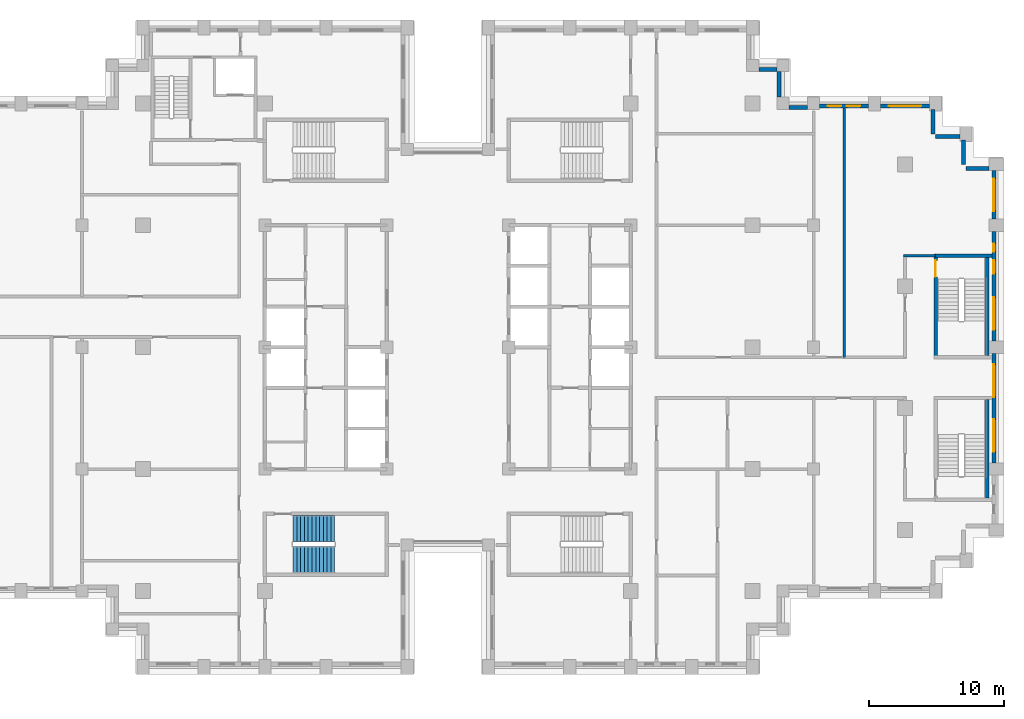
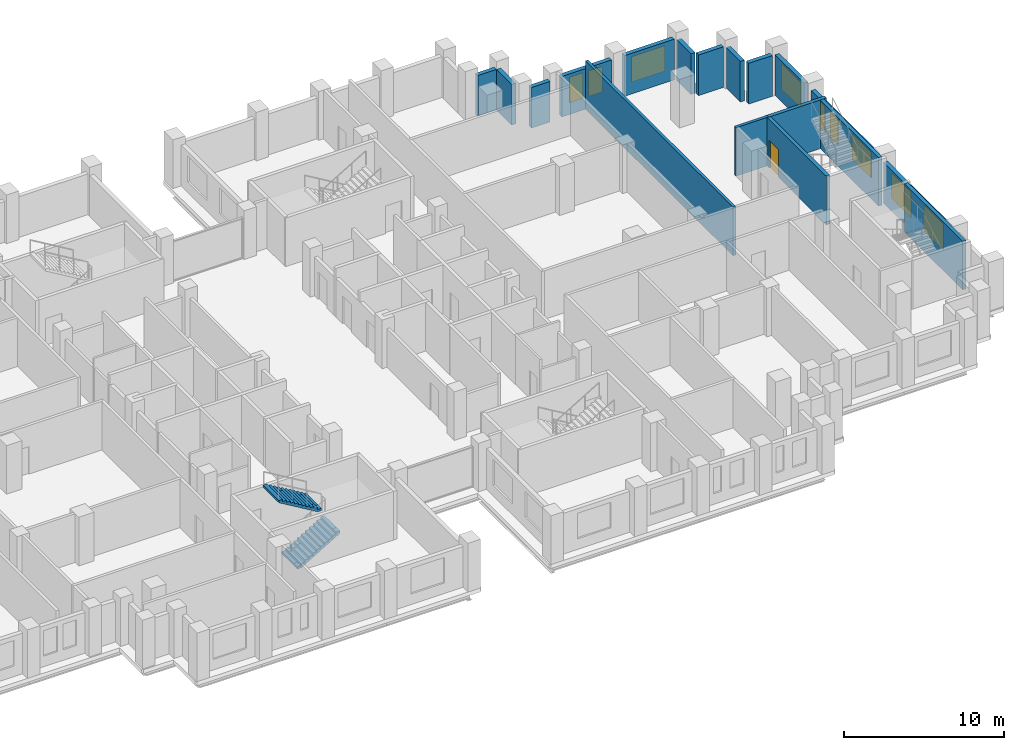
# One storey, part 12 of 15: 18 walls, 9 windows, 2 stair flights, 1 door, 10 openings, 1 element without a shape of its own.
"""IFC4 building model written with IfcOpenShell, lengths in metres."""

from ifc_helpers import new_model, si_unit, direction, frame, frame_2d, origin, place, context, subcontext, project, spatial, polyline, rectangle, outline, extrude, material, layer, layer_set, type_object, element, fill, aggregate, save


model = new_model("IFC4")

# Units and contexts
model_context = context("Model", 3, precision=1e-05, world=origin(), true_north=direction((0.0, 1.0)))
body_context = subcontext(model_context, "Body", "Model", "MODEL_VIEW")
ifc_project = project(units=[si_unit("LENGTHUNIT", "METRE"), si_unit("AREAUNIT", "SQUARE_METRE"), si_unit("VOLUMEUNIT", "CUBIC_METRE"), si_unit("PLANEANGLEUNIT", "RADIAN"), si_unit("MASSUNIT", "GRAM", prefix="KILO")], contexts=[model_context])

# Site, building, storey
site_placement = place(None, origin())
site = spatial("IfcSite", under=ifc_project, at=site_placement, CompositionType="ELEMENT")
building_placement = place(site_placement, origin())
building = spatial("IfcBuilding", under=site, at=building_placement, Name="Corbelhall Arena Tower", CompositionType="ELEMENT")
storey_placement = place(building_placement, frame((0.0, 0.0, 138.0)))
storey = spatial("IfcBuildingStorey", under=building, at=storey_placement, Name="L26", CompositionType="ELEMENT", Elevation=138.0)

# Walls
ifc_material_1 = material(Name="Precast concrete C40/50 with granite facing", Category="masonry")
ifc_layer_1 = layer(ifc_material_1, 0.300048828125)
ifc_layer_set_1 = layer_set([ifc_layer_1], Name="EV-IW1 Infill panel 300")
wall_type_1 = type_object("IfcWallType", Name="EV-IW1 Infill panel 300", PredefinedType="SOLIDWALL", material=ifc_layer_set_1)
wall_1_placement = place(storey_placement, frame((39.949951171875, 13.199951171875, 0.0), z_axis=(0.0, 0.0, 1.0), x_axis=(-1.0, 0.0, 0.0)))
element("IfcWall", 1, at=wall_1_placement, inside=storey, type_object=wall_type_1, Name="Infill panel IW1", PredefinedType="SOLIDWALL", context=body_context, shape_type="SweptSolid", body=[
    extrude(rectangle(XDim=1.699951171875, YDim=0.300048828125, at=frame_2d((0.85009765625, 0.0))), origin(), (0.0, 0.0, 1.0), 3.10009765625),
])
for number, where, z_axis, x_axis, name in (
    (2, (38.050048828125, 15.300048828125, 0.0), (0.0, 0.0, 1.0), (0.0, -1.0, 0.0), "Infill panel IW1"),
    (3, (37.800048828125, 15.550048828125, 0.0), (0.0, 0.0, 1.0), (-1.0, 0.0, 0.0), "Infill panel IW1"),
    (4, (35.800048828125, 17.550048828125, 0.0), (0.0, 0.0, 1.0), (0.0, -1.0, 0.0), "Infill panel IW1"),
):
    element("IfcWall", number, at=place(storey_placement, frame(where, z_axis=z_axis, x_axis=x_axis)), inside=storey, type_object=wall_type_1, Name=name, PredefinedType="SOLIDWALL", context=body_context, shape_type="SweptSolid", body=[
        extrude(rectangle(XDim=1.800048828125, YDim=0.300048828125, at=frame_2d((0.89990234375, 0.0))), origin(), (0.0, 0.0, 1.0), 3.10009765625),
    ])

# Wall, openings, windows
wall_2_placement = place(storey_placement, frame((40.300048828125, -8.550048828125, 0.0), z_axis=(0.0, 0.0, 1.0), x_axis=(0.0, 1.0, 0.0)))
wall_2 = element("IfcWall", 5, at=wall_2_placement, inside=storey, type_object=wall_type_1, Name="Infill panel IW1", PredefinedType="SOLIDWALL", context=body_context, shape_type="SweptSolid", body=[
    extrude(rectangle(XDim=8.10009765625, YDim=0.300048828125, at=frame_2d((4.050048828125, 0.0))), origin(), (0.0, 0.0, 1.0), 3.10009765625),
])
opening_1_placement = place(wall_2_placement, frame((0.824951171875, 0.0, 0.800048828125)))
opening_1 = element("IfcOpeningElement", 6, at=opening_1_placement, cuts=wall_2, Name="Opening WN1", PredefinedType="OPENING", context=body_context, shape_type="SweptSolid", body=[
    extrude(rectangle(XDim=2.39990234375, YDim=1.949951171875, at=frame_2d((1.199951171875, 0.97509765625))), frame((0.0, 0.14990234375, 0.0), z_axis=(0.0, -1.0, 0.0), x_axis=(1.0, 0.0, 0.0)), (0.0, 0.0, 1.0), 0.300048828125),
])
opening_2_placement = place(wall_2_placement, frame((4.875, 0.0, 0.800048828125)))
opening_2 = element("IfcOpeningElement", 7, at=opening_2_placement, cuts=wall_2, Name="Opening WN1", PredefinedType="OPENING", context=body_context, shape_type="SweptSolid", body=[
    extrude(rectangle(XDim=2.39990234375, YDim=1.949951171875, at=frame_2d((1.199951171875, 0.97509765625))), frame((0.0, 0.14990234375, 0.0), z_axis=(0.0, -1.0, 0.0), x_axis=(1.0, 0.0, 0.0)), (0.0, 0.0, 1.0), 0.300048828125),
])
ifc_material_2 = material(Name="Aluminium black anodised", Category="aluminium")
window_type_1 = type_object("IfcWindowType", Name="EV-WN1 Office window", PartitioningType="SINGLE_PANEL", PredefinedType="WINDOW", material=ifc_material_2)
window_1_placement = place(opening_1_placement, origin())
window_1 = element("IfcWindow", 8, at=window_1_placement, inside=storey, type_object=window_type_1, Name="Window WN1", OverallHeight=1.949951171875, OverallWidth=2.39990234375, PartitioningType="SINGLE_PANEL", PredefinedType="WINDOW", context=body_context, shape_type="SweptSolid", body=[
    extrude(rectangle(XDim=2.39990234375, YDim=1.949951171875, at=frame_2d((1.199951171875, 0.97509765625))), frame((0.0, 0.030029296875, 0.0), z_axis=(0.0, -1.0, 0.0), x_axis=(1.0, 0.0, 0.0)), (0.0, 0.0, 1.0), 0.06005859375),
])
fill(opening_1, window_1)
window_2_placement = place(opening_2_placement, origin())
window_2 = element("IfcWindow", 9, at=window_2_placement, inside=storey, type_object=window_type_1, Name="Window WN1", OverallHeight=1.949951171875, OverallWidth=2.39990234375, PartitioningType="SINGLE_PANEL", PredefinedType="WINDOW", context=body_context, shape_type="SweptSolid", body=[
    extrude(rectangle(XDim=2.39990234375, YDim=1.949951171875, at=frame_2d((1.199951171875, 0.97509765625))), frame((0.0, 0.030029296875, 0.0), z_axis=(0.0, -1.0, 0.0), x_axis=(1.0, 0.0, 0.0)), (0.0, 0.0, 1.0), 0.06005859375),
])
fill(opening_2, window_2)

wall_3_placement = place(storey_placement, frame((40.300048828125, 0.449951171875, 0.0), z_axis=(0.0, 0.0, 1.0), x_axis=(0.0, 1.0, 0.0)))
wall_3 = element("IfcWall", 10, at=wall_3_placement, inside=storey, type_object=wall_type_1, Name="Infill panel IW1", PredefinedType="SOLIDWALL", context=body_context, shape_type="SweptSolid", body=[
    extrude(rectangle(XDim=8.10009765625, YDim=0.300048828125, at=frame_2d((4.050048828125, 0.0))), origin(), (0.0, 0.0, 1.0), 3.10009765625),
])
opening_3_placement = place(wall_3_placement, frame((0.824951171875, 0.0, 0.800048828125)))
opening_3 = element("IfcOpeningElement", 11, at=opening_3_placement, cuts=wall_3, Name="Opening WN1", PredefinedType="OPENING", context=body_context, shape_type="SweptSolid", body=[
    extrude(rectangle(XDim=2.39990234375, YDim=1.949951171875, at=frame_2d((1.199951171875, 0.97509765625))), frame((0.0, 0.14990234375, 0.0), z_axis=(0.0, -1.0, 0.0), x_axis=(1.0, 0.0, 0.0)), (0.0, 0.0, 1.0), 0.300048828125),
])
opening_4_placement = place(wall_3_placement, frame((4.97509765625, 0.0, 0.800048828125)))
opening_4 = element("IfcOpeningElement", 12, at=opening_4_placement, cuts=wall_3, Name="Opening WN6", PredefinedType="OPENING", context=body_context, shape_type="SweptSolid", body=[
    extrude(rectangle(XDim=1.0, YDim=1.949951171875, at=frame_2d((0.5, 0.97509765625))), frame((0.0, 0.14990234375, 0.0), z_axis=(0.0, -1.0, 0.0), x_axis=(1.0, 0.0, 0.0)), (0.0, 0.0, 1.0), 0.300048828125),
])
opening_5_placement = place(wall_3_placement, frame((6.60009765625, 0.0, 0.800048828125)))
opening_5 = element("IfcOpeningElement", 13, at=opening_5_placement, cuts=wall_3, Name="Opening WN5", PredefinedType="OPENING", context=body_context, shape_type="SweptSolid", body=[
    extrude(rectangle(XDim=0.60009765625, YDim=1.949951171875, at=frame_2d((0.300048828125, 0.97509765625))), frame((0.0, 0.14990234375, 0.0), z_axis=(0.0, -1.0, 0.0), x_axis=(1.0, 0.0, 0.0)), (0.0, 0.0, 1.0), 0.300048828125),
])
window_3_placement = place(opening_3_placement, origin())
window_3 = element("IfcWindow", 14, at=window_3_placement, inside=storey, type_object=window_type_1, Name="Window WN1", OverallHeight=1.949951171875, OverallWidth=2.39990234375, PartitioningType="SINGLE_PANEL", PredefinedType="WINDOW", context=body_context, shape_type="SweptSolid", body=[
    extrude(rectangle(XDim=2.39990234375, YDim=1.949951171875, at=frame_2d((1.199951171875, 0.97509765625))), frame((0.0, 0.030029296875, 0.0), z_axis=(0.0, -1.0, 0.0), x_axis=(1.0, 0.0, 0.0)), (0.0, 0.0, 1.0), 0.06005859375),
])
fill(opening_3, window_3)
window_type_2 = type_object("IfcWindowType", Name="EV-WN5 Office window 600", PartitioningType="SINGLE_PANEL", PredefinedType="WINDOW", material=ifc_material_2)
window_4_placement = place(opening_5_placement, origin())
window_4 = element("IfcWindow", 15, at=window_4_placement, inside=storey, type_object=window_type_2, Name="Window WN5", OverallHeight=1.949951171875, OverallWidth=0.60009765625, PartitioningType="SINGLE_PANEL", PredefinedType="WINDOW", context=body_context, shape_type="SweptSolid", body=[
    extrude(rectangle(XDim=0.60009765625, YDim=1.949951171875, at=frame_2d((0.300048828125, 0.97509765625))), frame((0.0, 0.030029296875, 0.0), z_axis=(0.0, -1.0, 0.0), x_axis=(1.0, 0.0, 0.0)), (0.0, 0.0, 1.0), 0.06005859375),
])
fill(opening_5, window_4)
window_type_3 = type_object("IfcWindowType", Name="EV-WN6 Office window 1000", PartitioningType="SINGLE_PANEL", PredefinedType="WINDOW", material=ifc_material_2)
window_5_placement = place(opening_4_placement, origin())
window_5 = element("IfcWindow", 16, at=window_5_placement, inside=storey, type_object=window_type_3, Name="Window WN6", OverallHeight=1.949951171875, OverallWidth=1.0, PartitioningType="SINGLE_PANEL", PredefinedType="WINDOW", context=body_context, shape_type="SweptSolid", body=[
    extrude(rectangle(XDim=1.0, YDim=1.949951171875, at=frame_2d((0.5, 0.97509765625))), frame((0.0, 0.030029296875, 0.0), z_axis=(0.0, -1.0, 0.0), x_axis=(1.0, 0.0, 0.0)), (0.0, 0.0, 1.0), 0.06005859375),
])
fill(opening_4, window_5)

# Wall, opening, window
wall_4_placement = place(storey_placement, frame((40.300048828125, 9.449951171875, 0.0), z_axis=(0.0, 0.0, 1.0), x_axis=(0.0, 1.0, 0.0)))
wall_4 = element("IfcWall", 17, at=wall_4_placement, inside=storey, type_object=wall_type_1, Name="Infill panel IW1", PredefinedType="SOLIDWALL", context=body_context, shape_type="SweptSolid", body=[
    extrude(rectangle(XDim=3.60009765625, YDim=0.300048828125, at=frame_2d((1.800048828125, 0.0))), origin(), (0.0, 0.0, 1.0), 3.10009765625),
])
opening_6_placement = place(wall_4_placement, frame((0.60009765625, 0.0, 0.800048828125)))
opening_6 = element("IfcOpeningElement", 18, at=opening_6_placement, cuts=wall_4, Name="Opening WN1", PredefinedType="OPENING", context=body_context, shape_type="SweptSolid", body=[
    extrude(rectangle(XDim=2.39990234375, YDim=1.949951171875, at=frame_2d((1.199951171875, 0.97509765625))), frame((0.0, 0.14990234375, 0.0), z_axis=(0.0, -1.0, 0.0), x_axis=(1.0, 0.0, 0.0)), (0.0, 0.0, 1.0), 0.300048828125),
])
window_6_placement = place(opening_6_placement, origin())
window_6 = element("IfcWindow", 19, at=window_6_placement, inside=storey, type_object=window_type_1, Name="Window WN1", OverallHeight=1.949951171875, OverallWidth=2.39990234375, PartitioningType="SINGLE_PANEL", PredefinedType="WINDOW", context=body_context, shape_type="SweptSolid", body=[
    extrude(rectangle(XDim=2.39990234375, YDim=1.949951171875, at=frame_2d((1.199951171875, 0.97509765625))), frame((0.0, 0.030029296875, 0.0), z_axis=(0.0, -1.0, 0.0), x_axis=(1.0, 0.0, 0.0)), (0.0, 0.0, 1.0), 0.06005859375),
])
fill(opening_6, window_6)

wall_5_placement = place(storey_placement, frame((35.550048828125, 17.800048828125, 0.0), z_axis=(0.0, 0.0, 1.0), x_axis=(-1.0, 0.0, 0.0)))
wall_5 = element("IfcWall", 20, at=wall_5_placement, inside=storey, type_object=wall_type_1, Name="Infill panel IW1", PredefinedType="SOLIDWALL", context=body_context, shape_type="SweptSolid", body=[
    extrude(rectangle(XDim=3.60009765625, YDim=0.300048828125, at=frame_2d((1.800048828125, 0.0))), origin(), (0.0, 0.0, 1.0), 3.10009765625),
])
opening_7_placement = place(wall_5_placement, frame((0.60009765625, 0.0, 0.800048828125)))
opening_7 = element("IfcOpeningElement", 21, at=opening_7_placement, cuts=wall_5, Name="Opening WN1", PredefinedType="OPENING", context=body_context, shape_type="SweptSolid", body=[
    extrude(rectangle(XDim=2.39990234375, YDim=1.949951171875, at=frame_2d((1.199951171875, 0.97509765625))), frame((0.0, 0.14990234375, 0.0), z_axis=(0.0, -1.0, 0.0), x_axis=(1.0, 0.0, 0.0)), (0.0, 0.0, 1.0), 0.300048828125),
])
window_7_placement = place(opening_7_placement, origin())
window_7 = element("IfcWindow", 22, at=window_7_placement, inside=storey, type_object=window_type_1, Name="Window WN1", OverallHeight=1.949951171875, OverallWidth=2.39990234375, PartitioningType="SINGLE_PANEL", PredefinedType="WINDOW", context=body_context, shape_type="SweptSolid", body=[
    extrude(rectangle(XDim=2.39990234375, YDim=1.949951171875, at=frame_2d((1.199951171875, 0.97509765625))), frame((0.0, 0.030029296875, 0.0), z_axis=(0.0, -1.0, 0.0), x_axis=(1.0, 0.0, 0.0)), (0.0, 0.0, 1.0), 0.06005859375),
])
fill(opening_7, window_7)

# Wall, openings, windows
wall_6_placement = place(storey_placement, frame((31.050048828125, 17.800048828125, 0.0), z_axis=(0.0, 0.0, 1.0), x_axis=(-1.0, 0.0, 0.0)))
wall_6 = element("IfcWall", 23, at=wall_6_placement, inside=storey, type_object=wall_type_1, Name="Infill panel IW1", PredefinedType="SOLIDWALL", context=body_context, shape_type="SweptSolid", body=[
    extrude(rectangle(XDim=3.60009765625, YDim=0.300048828125, at=frame_2d((1.800048828125, 0.0))), origin(), (0.0, 0.0, 1.0), 3.10009765625),
])
opening_8_placement = place(wall_6_placement, frame((0.60009765625, 0.0, 0.800048828125)))
opening_8 = element("IfcOpeningElement", 24, at=opening_8_placement, cuts=wall_6, Name="Opening WN6", PredefinedType="OPENING", context=body_context, shape_type="SweptSolid", body=[
    extrude(rectangle(XDim=1.0, YDim=1.949951171875, at=frame_2d((0.5, 0.97509765625))), frame((0.0, 0.14990234375, 0.0), z_axis=(0.0, -1.0, 0.0), x_axis=(1.0, 0.0, 0.0)), (0.0, 0.0, 1.0), 0.300048828125),
])
opening_9_placement = place(wall_6_placement, frame((2.0, 0.0, 0.800048828125)))
opening_9 = element("IfcOpeningElement", 25, at=opening_9_placement, cuts=wall_6, Name="Opening WN6", PredefinedType="OPENING", context=body_context, shape_type="SweptSolid", body=[
    extrude(rectangle(XDim=1.0, YDim=1.949951171875, at=frame_2d((0.5, 0.97509765625))), frame((0.0, 0.14990234375, 0.0), z_axis=(0.0, -1.0, 0.0), x_axis=(1.0, 0.0, 0.0)), (0.0, 0.0, 1.0), 0.300048828125),
])
window_8_placement = place(opening_8_placement, origin())
window_8 = element("IfcWindow", 26, at=window_8_placement, inside=storey, type_object=window_type_3, Name="Window WN6", OverallHeight=1.949951171875, OverallWidth=1.0, PartitioningType="SINGLE_PANEL", PredefinedType="WINDOW", context=body_context, shape_type="SweptSolid", body=[
    extrude(rectangle(XDim=1.0, YDim=1.949951171875, at=frame_2d((0.5, 0.97509765625))), frame((0.0, 0.030029296875, 0.0), z_axis=(0.0, -1.0, 0.0), x_axis=(1.0, 0.0, 0.0)), (0.0, 0.0, 1.0), 0.06005859375),
])
fill(opening_8, window_8)
window_9_placement = place(opening_9_placement, origin())
window_9 = element("IfcWindow", 27, at=window_9_placement, inside=storey, type_object=window_type_3, Name="Window WN6", OverallHeight=1.949951171875, OverallWidth=1.0, PartitioningType="SINGLE_PANEL", PredefinedType="WINDOW", context=body_context, shape_type="SweptSolid", body=[
    extrude(rectangle(XDim=1.0, YDim=1.949951171875, at=frame_2d((0.5, 0.97509765625))), frame((0.0, 0.030029296875, 0.0), z_axis=(0.0, -1.0, 0.0), x_axis=(1.0, 0.0, 0.0)), (0.0, 0.0, 1.0), 0.06005859375),
])
fill(opening_9, window_9)

# Walls
wall_7_placement = place(storey_placement, frame((26.550048828125, 17.699951171875, 0.0), z_axis=(0.0, 0.0, 1.0), x_axis=(-1.0, 0.0, 0.0)))
element("IfcWall", 28, at=wall_7_placement, inside=storey, type_object=wall_type_1, Name="Infill panel IW1", PredefinedType="SOLIDWALL", context=body_context, shape_type="SweptSolid", body=[
    extrude(rectangle(XDim=1.35009765625, YDim=0.300048828125, at=frame_2d((0.675048828125, 0.0))), origin(), (0.0, 0.0, 1.0), 3.10009765625),
])
wall_8_placement = place(storey_placement, frame((24.449951171875, 18.449951171875, 0.0), z_axis=(0.0, 0.0, 1.0), x_axis=(0.0, 1.0, 0.0)))
element("IfcWall", 29, at=wall_8_placement, inside=storey, type_object=wall_type_1, Name="Infill panel IW1", PredefinedType="SOLIDWALL", context=body_context, shape_type="SweptSolid", body=[
    extrude(rectangle(XDim=1.900146484375, YDim=0.300048828125, at=frame_2d((0.9501953125, 0.0))), origin(), (0.0, 0.0, 1.0), 3.10009765625),
])
wall_9_placement = place(storey_placement, frame((24.300048828125, 20.5, 0.0), z_axis=(0.0, 0.0, 1.0), x_axis=(-1.0, 0.0, 0.0)))
element("IfcWall", 30, at=wall_9_placement, inside=storey, type_object=wall_type_1, Name="Infill panel IW1", PredefinedType="SOLIDWALL", context=body_context, shape_type="SweptSolid", body=[
    extrude(rectangle(XDim=1.35009765625, YDim=0.300048828125, at=frame_2d((0.675048828125, 0.0))), origin(), (0.0, 0.0, 1.0), 3.10009765625),
])
ifc_material_3 = material(Name="Gypsum board on steel stud, acoustic", Category="steel")
ifc_layer_2 = layer(ifc_material_3, 0.199951171875)
ifc_layer_set_2 = layer_set([ifc_layer_2], Name="IN-W-DM200")
wall_type_2 = type_object("IfcWallType", Name="IN-W-DM200", PredefinedType="PARTITIONING", material=ifc_layer_set_2)
wall_10_placement = place(storey_placement, frame((29.25, 17.64990234375, 0.0), z_axis=(0.0, 0.0, 1.0), x_axis=(0.0, -1.0, 0.0)))
element("IfcWall", 31, at=wall_10_placement, inside=storey, type_object=wall_type_2, Name="Partition 040", PredefinedType="PARTITIONING", context=body_context, shape_type="SweptSolid", body=[
    extrude(rectangle(XDim=18.39990234375, YDim=0.199951171875, at=frame_2d((9.199951171875, 0.0))), origin(), (0.0, 0.0, 1.0), 3.699951171875),
])
wall_11_placement = place(storey_placement, frame((33.64990234375, 6.75, 0.0), z_axis=(0.0, 0.0, 1.0), x_axis=(1.0, 0.0, 0.0)))
element("IfcWall", 32, at=wall_11_placement, inside=storey, type_object=wall_type_2, Name="Partition 042", PredefinedType="PARTITIONING", context=body_context, shape_type="SweptSolid", body=[
    extrude(rectangle(XDim=2.35009765625, YDim=0.199951171875, at=frame_2d((1.175048828125, 0.0))), origin(), (0.0, 0.0, 1.0), 3.699951171875),
])

# Wall, opening, door
ifc_material_4 = material(Name="Concrete C40/50", Category="concrete")
ifc_layer_3 = layer(ifc_material_4, 0.25)
ifc_layer_set_3 = layer_set([ifc_layer_3], Name="IN-W-ST250")
wall_type_3 = type_object("IfcWallType", Name="IN-W-ST250", PredefinedType="SOLIDWALL", material=ifc_layer_set_3)
wall_12_placement = place(storey_placement, frame((36.0, -0.75, 0.0), z_axis=(0.0, 0.0, 1.0), x_axis=(0.0, 1.0, 0.0)))
wall_12 = element("IfcWall", 33, at=wall_12_placement, inside=storey, type_object=wall_type_3, Name="Shaft wall 107", PredefinedType="SOLIDWALL", context=body_context, shape_type="SweptSolid", body=[
    extrude(rectangle(XDim=7.625, YDim=0.25, at=frame_2d((3.8125, 0.0))), origin(), (0.0, 0.0, 1.0), 3.699951171875),
])
opening_10_placement = place(wall_12_placement, frame((5.949951171875, 0.0, 0.0)))
opening_10 = element("IfcOpeningElement", 34, at=opening_10_placement, cuts=wall_12, Name="Opening 07021", PredefinedType="OPENING", context=body_context, shape_type="SweptSolid", body=[
    extrude(rectangle(XDim=1.199951171875, YDim=2.10009765625, at=frame_2d((0.60009765625, 1.050048828125))), frame((0.0, 0.125, 0.0), z_axis=(0.0, -1.0, 0.0), x_axis=(1.0, 0.0, 0.0)), (0.0, 0.0, 1.0), 0.25),
])
ifc_material_5 = material(Name="Steel door set", Category="steel")
door_type = type_object("IfcDoorType", Name="IN-D-ST120", OperationType="NOTDEFINED", PredefinedType="DOOR", material=ifc_material_5)
door_placement = place(opening_10_placement, origin())
door = element("IfcDoor", 35, at=door_placement, inside=storey, type_object=door_type, Name="Door 021", OperationType="SINGLE_SWING_RIGHT", OverallHeight=2.10009765625, OverallWidth=1.199951171875, PredefinedType="DOOR", context=body_context, shape_type="SweptSolid", body=[
    extrude(rectangle(XDim=1.199951171875, YDim=2.10009765625, at=frame_2d((0.60009765625, 1.050048828125))), frame((0.0, 0.02490234375, 0.0), z_axis=(0.0, -1.0, 0.0), x_axis=(1.0, 0.0, 0.0)), (0.0, 0.0, 1.0), 0.050048828125),
])
fill(opening_10, door)

# Walls
wall_13_placement = place(storey_placement, frame((36.0, 6.75, 0.0), z_axis=(0.0, 0.0, 1.0), x_axis=(1.0, 0.0, 0.0)))
element("IfcWall", 36, at=wall_13_placement, inside=storey, type_object=wall_type_3, Name="Shaft wall 108", PredefinedType="SOLIDWALL", context=body_context, shape_type="SweptSolid", body=[
    extrude(rectangle(XDim=4.14990234375, YDim=0.25, at=frame_2d((2.074951171875, 0.0))), origin(), (0.0, 0.0, 1.0), 3.699951171875),
])
for number, where, z_axis, x_axis, name in (
    (37, (39.824951171875, -11.125, 0.0), (0.0, 0.0, 1.0), (0.0, 1.0, 0.0), "Shaft wall SD1 facade side"),
    (38, (39.824951171875, -0.625, 0.0), (0.0, 0.0, 1.0), (0.0, 1.0, 0.0), "Shaft wall SD2 facade side"),
):
    element("IfcWall", number, at=place(storey_placement, frame(where, z_axis=z_axis, x_axis=x_axis)), inside=storey, type_object=wall_type_3, Name=name, PredefinedType="SOLIDWALL", context=body_context, shape_type="SweptSolid", body=[
        extrude(rectangle(XDim=7.25, YDim=0.25, at=frame_2d((3.625, 0.0))), origin(), (0.0, 0.0, 1.0), 3.699951171875),
    ])

# Stair, stair flights
stair_type = type_object("IfcStairType", Name="IN-ST-TOWER", PredefinedType="HALF_TURN_STAIR", material=ifc_material_4)
stair_placement = place(storey_placement, origin())
stair = element("IfcStair", 39, at=stair_placement, inside=storey, type_object=stair_type, Name="L26 Exit stair ST2", PredefinedType="HALF_TURN_STAIR")
stair_flight_type = type_object("IfcStairFlightType", Name="IN-SFL-RC", PredefinedType="STRAIGHT", material=ifc_material_4)
stair_flight_1_placement = place(storey_placement, frame((-11.425048828125, -15.699951171875, 0.0), z_axis=(0.0, 0.0, 1.0), x_axis=(1.0, 0.0, 0.0)))
stair_flight_1 = element("IfcStairFlight", 40, at=stair_flight_1_placement, type_object=stair_flight_type, Name="ST2 flight 1", NumberOfRisers=12, NumberOfTreads=11, PredefinedType="STRAIGHT", RiserHeight=0.166666667, TreadLength=0.28, context=body_context, shape_type="SweptSolid", body=[
    extrude(outline(polyline([(0.0, 0.0), (0.0, 0.166748046875), (0.280029296875, 0.166748046875), (0.280029296875, 0.333251953125), (0.56005859375, 0.333251953125), (0.56005859375, 0.5), (0.840087890625, 0.5), (0.840087890625, 0.666748046875), (1.1201171875, 0.666748046875), (1.1201171875, 0.833251953125), (1.39990234375, 0.833251953125), (1.39990234375, 1.0), (1.679931640625, 1.0), (1.679931640625, 1.166748046875), (1.9599609375, 1.166748046875), (1.9599609375, 1.333251953125), (2.239990234375, 1.333251953125), (2.239990234375, 1.5), (2.52001953125, 1.5), (2.52001953125, 1.666748046875), (2.800048828125, 1.666748046875), (2.800048828125, 1.833251953125), (3.080078125, 1.833251953125), (3.080078125, 2.0), (3.080078125, 1.658935546875), (0.29296875, 0.0), (0.0, 0.0)])), frame((0.0, 0.97509765625, 0.0), z_axis=(0.0, -1.0, 0.0), x_axis=(1.0, 0.0, 0.0)), (0.0, 0.0, 1.0), 0.449951171875),
    extrude(outline(polyline([(0.0, 0.0), (0.0, 0.166748046875), (0.280029296875, 0.166748046875), (0.280029296875, 0.333251953125), (0.56005859375, 0.333251953125), (0.56005859375, 0.5), (0.840087890625, 0.5), (0.840087890625, 0.666748046875), (1.1201171875, 0.666748046875), (1.1201171875, 0.833251953125), (1.39990234375, 0.833251953125), (1.39990234375, 1.0), (1.679931640625, 1.0), (1.679931640625, 1.166748046875), (1.9599609375, 1.166748046875), (1.9599609375, 1.333251953125), (2.239990234375, 1.333251953125), (2.239990234375, 1.5), (2.52001953125, 1.5), (2.52001953125, 1.666748046875), (2.800048828125, 1.666748046875), (2.800048828125, 1.833251953125), (3.080078125, 1.833251953125), (3.080078125, 2.0), (3.080078125, 1.658935546875), (0.29296875, 0.0), (0.0, 0.0)])), frame((0.0, 0.52099609375, 0.0), z_axis=(0.0, -1.0, 0.0), x_axis=(1.0, 0.0, 0.0)), (0.0, 0.0, 1.0), 1.0419921875),
    extrude(outline(polyline([(0.0, 0.0), (0.0, 0.166748046875), (0.280029296875, 0.166748046875), (0.280029296875, 0.333251953125), (0.56005859375, 0.333251953125), (0.56005859375, 0.5), (0.840087890625, 0.5), (0.840087890625, 0.666748046875), (1.1201171875, 0.666748046875), (1.1201171875, 0.833251953125), (1.39990234375, 0.833251953125), (1.39990234375, 1.0), (1.679931640625, 1.0), (1.679931640625, 1.166748046875), (1.9599609375, 1.166748046875), (1.9599609375, 1.333251953125), (2.239990234375, 1.333251953125), (2.239990234375, 1.5), (2.52001953125, 1.5), (2.52001953125, 1.666748046875), (2.800048828125, 1.666748046875), (2.800048828125, 1.833251953125), (3.080078125, 1.833251953125), (3.080078125, 2.0), (3.080078125, 1.658935546875), (0.29296875, 0.0), (0.0, 0.0)])), frame((0.0, -0.52490234375, 0.0), z_axis=(0.0, -1.0, 0.0), x_axis=(1.0, 0.0, 0.0)), (0.0, 0.0, 1.0), 0.449951171875),
])
stair_flight_2_placement = place(storey_placement, frame((-8.344970703125, -13.39990234375, 2.0), z_axis=(0.0, 0.0, 1.0), x_axis=(-1.0, 0.0, 0.0)))
stair_flight_2 = element("IfcStairFlight", 41, at=stair_flight_2_placement, type_object=stair_flight_type, Name="ST2 flight 2", NumberOfRisers=12, NumberOfTreads=11, PredefinedType="STRAIGHT", RiserHeight=0.166666667, TreadLength=0.28, context=body_context, shape_type="SweptSolid", body=[
    extrude(outline(polyline([(0.0, 0.0), (0.0, 0.166748046875), (0.280029296875, 0.166748046875), (0.280029296875, 0.333251953125), (0.56005859375, 0.333251953125), (0.56005859375, 0.5), (0.840087890625, 0.5), (0.840087890625, 0.666748046875), (1.1201171875, 0.666748046875), (1.1201171875, 0.833251953125), (1.39990234375, 0.833251953125), (1.39990234375, 1.0), (1.679931640625, 1.0), (1.679931640625, 1.166748046875), (1.9599609375, 1.166748046875), (1.9599609375, 1.333251953125), (2.239990234375, 1.333251953125), (2.239990234375, 1.5), (2.52001953125, 1.5), (2.52001953125, 1.666748046875), (2.800048828125, 1.666748046875), (2.800048828125, 1.833251953125), (3.080078125, 1.833251953125), (3.080078125, 2.0), (3.080078125, 1.658935546875), (0.29296875, 0.0), (0.0, 0.0)])), frame((0.0, 0.97509765625, 0.0), z_axis=(0.0, -1.0, 0.0), x_axis=(1.0, 0.0, 0.0)), (0.0, 0.0, 1.0), 0.449951171875),
    extrude(outline(polyline([(0.0, 0.0), (0.0, 0.166748046875), (0.280029296875, 0.166748046875), (0.280029296875, 0.333251953125), (0.56005859375, 0.333251953125), (0.56005859375, 0.5), (0.840087890625, 0.5), (0.840087890625, 0.666748046875), (1.1201171875, 0.666748046875), (1.1201171875, 0.833251953125), (1.39990234375, 0.833251953125), (1.39990234375, 1.0), (1.679931640625, 1.0), (1.679931640625, 1.166748046875), (1.9599609375, 1.166748046875), (1.9599609375, 1.333251953125), (2.239990234375, 1.333251953125), (2.239990234375, 1.5), (2.52001953125, 1.5), (2.52001953125, 1.666748046875), (2.800048828125, 1.666748046875), (2.800048828125, 1.833251953125), (3.080078125, 1.833251953125), (3.080078125, 2.0), (3.080078125, 1.658935546875), (0.29296875, 0.0), (0.0, 0.0)])), frame((0.0, 0.52099609375, 0.0), z_axis=(0.0, -1.0, 0.0), x_axis=(1.0, 0.0, 0.0)), (0.0, 0.0, 1.0), 1.0419921875),
    extrude(outline(polyline([(0.0, 0.0), (0.0, 0.166748046875), (0.280029296875, 0.166748046875), (0.280029296875, 0.333251953125), (0.56005859375, 0.333251953125), (0.56005859375, 0.5), (0.840087890625, 0.5), (0.840087890625, 0.666748046875), (1.1201171875, 0.666748046875), (1.1201171875, 0.833251953125), (1.39990234375, 0.833251953125), (1.39990234375, 1.0), (1.679931640625, 1.0), (1.679931640625, 1.166748046875), (1.9599609375, 1.166748046875), (1.9599609375, 1.333251953125), (2.239990234375, 1.333251953125), (2.239990234375, 1.5), (2.52001953125, 1.5), (2.52001953125, 1.666748046875), (2.800048828125, 1.666748046875), (2.800048828125, 1.833251953125), (3.080078125, 1.833251953125), (3.080078125, 2.0), (3.080078125, 1.658935546875), (0.29296875, 0.0), (0.0, 0.0)])), frame((0.0, -0.52490234375, 0.0), z_axis=(0.0, -1.0, 0.0), x_axis=(1.0, 0.0, 0.0)), (0.0, 0.0, 1.0), 0.449951171875),
])
aggregate(stair, [stair_flight_1, stair_flight_2])

save(model, "model.ifc")
